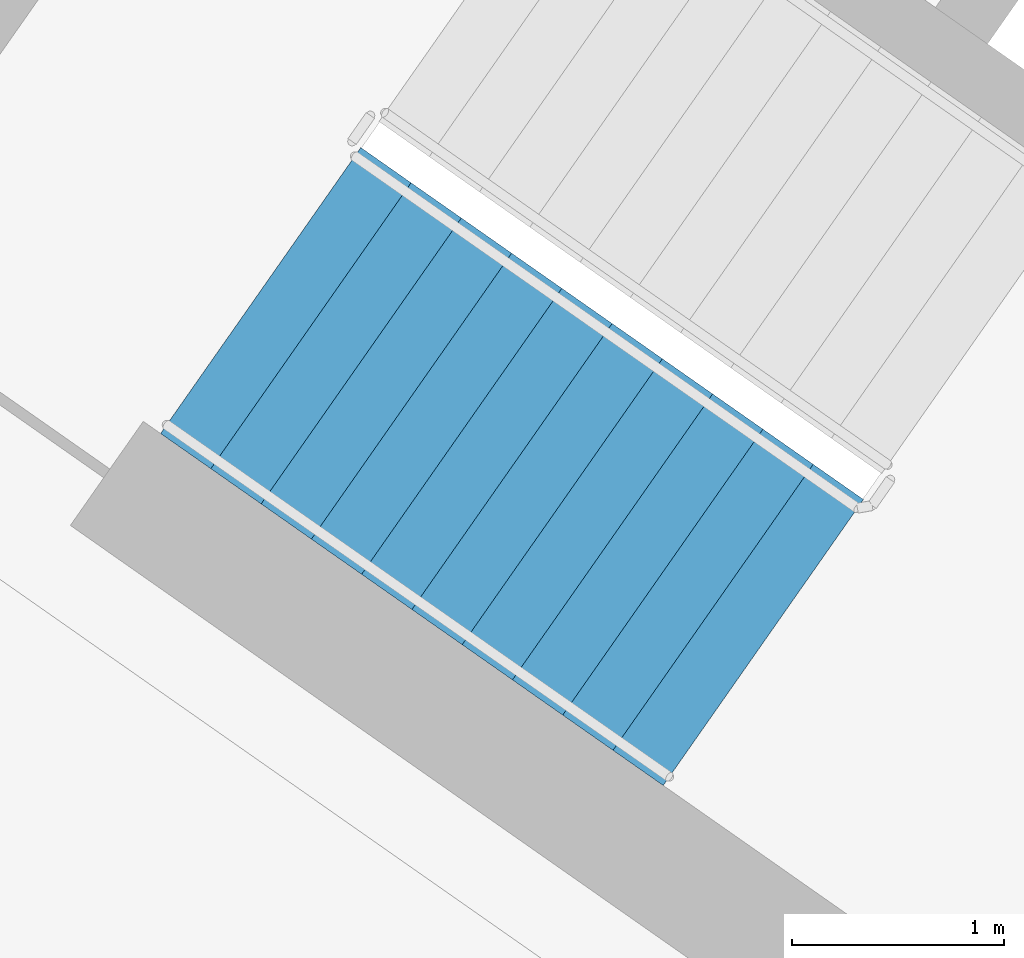
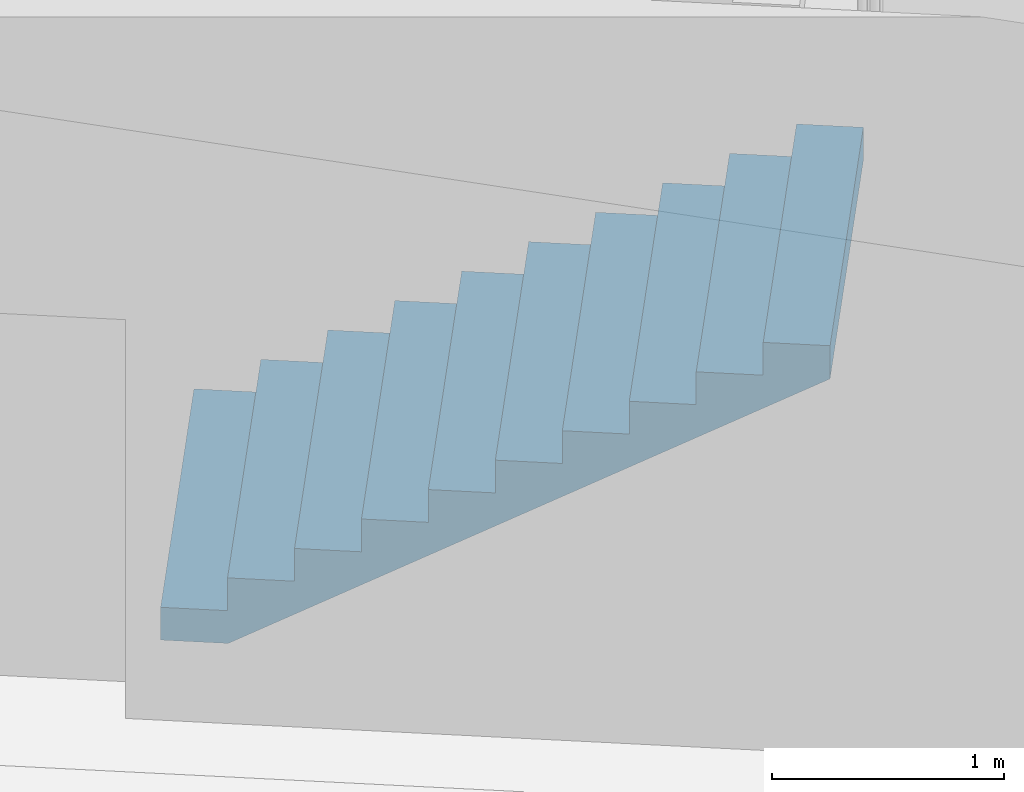
# One storey, part 9 of 26: 1 stair flight, 1 element without a shape of its own.
"""IFC4 building model written with IfcOpenShell, lengths in metres."""

from ifc_helpers import new_model, si_unit, direction, frame, origin, place, context, subcontext, project, spatial, faceted_brep, material, type_object, element, aggregate, save


model = new_model("IFC4")

# Units and contexts
model_context = context("Model", 3, precision=1e-05, world=origin(), true_north=direction((0.0, 1.0)))
body_context = subcontext(model_context, "Body", "Model", "MODEL_VIEW")
ifc_project = project(units=[si_unit("LENGTHUNIT", "METRE"), si_unit("AREAUNIT", "SQUARE_METRE"), si_unit("VOLUMEUNIT", "CUBIC_METRE"), si_unit("PLANEANGLEUNIT", "RADIAN"), si_unit("MASSUNIT", "GRAM", prefix="KILO")], contexts=[model_context])

# Site, building, storey
site_placement = place(None, origin())
site = spatial("IfcSite", under=ifc_project, at=site_placement, CompositionType="ELEMENT")
building_placement = place(site_placement, origin())
building = spatial("IfcBuilding", under=site, at=building_placement, Name="Qamariyya Broadcast Tower", CompositionType="ELEMENT")
storey_placement = place(building_placement, frame((0.0, 0.0, 168.300048828125)))
storey = spatial("IfcBuildingStorey", under=building, at=storey_placement, Name="L39", CompositionType="ELEMENT", Elevation=168.300048828125)

# Stair, stair flight
ifc_material = material(Name="Concrete C50/60", Category="concrete")
stair_type = type_object("IfcStairType", Name="Exit stair 22 risers of 173 mm", PredefinedType="HALF_TURN_STAIR", material=ifc_material)
stair_placement = place(storey_placement, origin())
stair = element("IfcStair", 1, at=stair_placement, inside=storey, type_object=stair_type, Name="L39 Stair W1", PredefinedType="HALF_TURN_STAIR")
stair_flight_type = type_object("IfcStairFlightType", Name="Exit stair flight 11 risers of 173 mm", PredefinedType="STRAIGHT", material=ifc_material)
stair_flight_placement = place(storey_placement, frame((-47.06884765625, -56.982666015625, 0.0), z_axis=(0.0, 0.0, 1.0), x_axis=(0.819152044289, -0.573576436351, 0.0)))
stair_flight = element("IfcStairFlight", 2, at=stair_flight_placement, type_object=stair_flight_type, Name="ST-W1 flight 1", NumberOfRisers=11, NumberOfTreads=10, PredefinedType="STRAIGHT", RiserHeight=0.172727273, TreadLength=0.29, context=body_context, shape_type="Brep", body=[
    faceted_brep([(0.0, 0.824951171875, 0.0), (0.0, 0.824951171875, 0.172607421875), (0.2900390625, 0.824951171875, 0.172607421875), (0.2900390625, 0.824951171875, 0.345458984375), (0.580078125, 0.824951171875, 0.345458984375), (0.580078125, 0.824951171875, 0.51806640625), (0.8701171875, 0.824951171875, 0.51806640625), (0.8701171875, 0.824951171875, 0.69091796875), (1.159912109375, 0.824951171875, 0.69091796875), (1.159912109375, 0.824951171875, 0.863525390625), (1.449951171875, 0.824951171875, 0.863525390625), (1.449951171875, 0.824951171875, 1.036376953125), (1.739990234375, 0.824951171875, 1.036376953125), (1.739990234375, 0.824951171875, 1.208984375), (2.030029296875, 0.824951171875, 1.208984375), (2.030029296875, 0.824951171875, 1.3818359375), (2.320068359375, 0.824951171875, 1.3818359375), (2.320068359375, 0.824951171875, 1.554443359375), (2.610107421875, 0.824951171875, 1.554443359375), (2.610107421875, 0.824951171875, 1.727294921875), (2.89990234375, 0.824951171875, 1.727294921875), (2.89990234375, 0.824951171875, 1.552734375), (0.29296875, 0.824951171875, 0.0), (0.29296875, -0.824951171875, 0.0), (2.89990234375, -0.824951171875, 1.552734375), (2.89990234375, -0.824951171875, 1.727294921875), (2.610107421875, -0.824951171875, 1.727294921875), (2.610107421875, -0.824951171875, 1.554443359375), (2.320068359375, -0.824951171875, 1.554443359375), (2.320068359375, -0.824951171875, 1.3818359375), (2.030029296875, -0.824951171875, 1.3818359375), (2.030029296875, -0.824951171875, 1.208984375), (1.739990234375, -0.824951171875, 1.208984375), (1.739990234375, -0.824951171875, 1.036376953125), (1.449951171875, -0.824951171875, 1.036376953125), (1.449951171875, -0.824951171875, 0.863525390625), (1.159912109375, -0.824951171875, 0.863525390625), (1.159912109375, -0.824951171875, 0.69091796875), (0.8701171875, -0.824951171875, 0.69091796875), (0.8701171875, -0.824951171875, 0.51806640625), (0.580078125, -0.824951171875, 0.51806640625), (0.580078125, -0.824951171875, 0.345458984375), (0.2900390625, -0.824951171875, 0.345458984375), (0.2900390625, -0.824951171875, 0.172607421875), (0.0, -0.824951171875, 0.172607421875), (0.0, -0.824951171875, 0.0), (0.0, 0.10009765625, 0.0), (0.0, 0.086669921875, 0.0), (0.0, 0.0732421875, 0.0), (0.0, 0.06005859375, 0.0), (0.0, 0.046630859375, 0.0), (0.0, 0.033447265625, 0.0), (0.0, 0.02001953125, 0.0), (0.0, 0.006591796875, 0.0), (0.0, -0.006591796875, 0.0), (0.0, -0.02001953125, 0.0), (0.0, -0.033447265625, 0.0), (0.0, -0.046630859375, 0.0), (0.0, -0.06005859375, 0.0), (0.0, -0.0732421875, 0.0), (0.0, -0.086669921875, 0.0), (0.0, -0.10009765625, 0.0), (0.0, -0.10009765625, 0.172607421875), (0.0, -0.086669921875, 0.172607421875), (0.0, -0.0732421875, 0.172607421875), (0.0, -0.06005859375, 0.172607421875), (0.0, -0.046630859375, 0.172607421875), (0.0, -0.033447265625, 0.172607421875), (0.0, -0.02001953125, 0.172607421875), (0.0, -0.006591796875, 0.172607421875), (0.0, 0.006591796875, 0.172607421875), (0.0, 0.02001953125, 0.172607421875), (0.0, 0.033447265625, 0.172607421875), (0.0, 0.046630859375, 0.172607421875), (0.0, 0.06005859375, 0.172607421875), (0.0, 0.0732421875, 0.172607421875), (0.0, 0.086669921875, 0.172607421875), (0.0, 0.10009765625, 0.172607421875), (0.2900390625, -0.10009765625, 0.172607421875), (0.2900390625, -0.086669921875, 0.172607421875), (0.2900390625, -0.0732421875, 0.172607421875), (0.2900390625, -0.06005859375, 0.172607421875), (0.2900390625, -0.046630859375, 0.172607421875), (0.2900390625, -0.033447265625, 0.172607421875), (0.2900390625, -0.02001953125, 0.172607421875), (0.2900390625, -0.006591796875, 0.172607421875), (0.2900390625, 0.006591796875, 0.172607421875), (0.2900390625, 0.02001953125, 0.172607421875), (0.2900390625, 0.033447265625, 0.172607421875), (0.2900390625, 0.046630859375, 0.172607421875), (0.2900390625, 0.06005859375, 0.172607421875), (0.2900390625, 0.0732421875, 0.172607421875), (0.2900390625, 0.086669921875, 0.172607421875), (0.2900390625, 0.10009765625, 0.172607421875), (0.2900390625, -0.10009765625, 0.345458984375), (0.2900390625, -0.086669921875, 0.345458984375), (0.2900390625, -0.0732421875, 0.345458984375), (0.2900390625, -0.06005859375, 0.345458984375), (0.2900390625, -0.046630859375, 0.345458984375), (0.2900390625, -0.033447265625, 0.345458984375), (0.2900390625, -0.02001953125, 0.345458984375), (0.2900390625, -0.006591796875, 0.345458984375), (0.2900390625, 0.006591796875, 0.345458984375), (0.2900390625, 0.02001953125, 0.345458984375), (0.2900390625, 0.033447265625, 0.345458984375), (0.2900390625, 0.046630859375, 0.345458984375), (0.2900390625, 0.06005859375, 0.345458984375), (0.2900390625, 0.0732421875, 0.345458984375), (0.2900390625, 0.086669921875, 0.345458984375), (0.2900390625, 0.10009765625, 0.345458984375), (0.580078125, -0.10009765625, 0.345458984375), (0.580078125, -0.086669921875, 0.345458984375), (0.580078125, -0.0732421875, 0.345458984375), (0.580078125, -0.06005859375, 0.345458984375), (0.580078125, -0.046630859375, 0.345458984375), (0.580078125, -0.033447265625, 0.345458984375), (0.580078125, -0.02001953125, 0.345458984375), (0.580078125, -0.006591796875, 0.345458984375), (0.580078125, 0.006591796875, 0.345458984375), (0.580078125, 0.02001953125, 0.345458984375), (0.580078125, 0.033447265625, 0.345458984375), (0.580078125, 0.046630859375, 0.345458984375), (0.580078125, 0.06005859375, 0.345458984375), (0.580078125, 0.0732421875, 0.345458984375), (0.580078125, 0.086669921875, 0.345458984375), (0.580078125, 0.10009765625, 0.345458984375), (0.580078125, -0.10009765625, 0.51806640625), (0.580078125, -0.086669921875, 0.51806640625), (0.580078125, -0.0732421875, 0.51806640625), (0.580078125, -0.06005859375, 0.51806640625), (0.580078125, -0.046630859375, 0.51806640625), (0.580078125, -0.033447265625, 0.51806640625), (0.580078125, -0.02001953125, 0.51806640625), (0.580078125, -0.006591796875, 0.51806640625), (0.580078125, 0.006591796875, 0.51806640625), (0.580078125, 0.02001953125, 0.51806640625), (0.580078125, 0.033447265625, 0.51806640625), (0.580078125, 0.046630859375, 0.51806640625), (0.580078125, 0.06005859375, 0.51806640625), (0.580078125, 0.0732421875, 0.51806640625), (0.580078125, 0.086669921875, 0.51806640625), (0.580078125, 0.10009765625, 0.51806640625), (0.8701171875, -0.10009765625, 0.51806640625), (0.8701171875, -0.086669921875, 0.51806640625), (0.8701171875, -0.0732421875, 0.51806640625), (0.8701171875, -0.06005859375, 0.51806640625), (0.8701171875, -0.046630859375, 0.51806640625), (0.8701171875, -0.033447265625, 0.51806640625), (0.8701171875, -0.02001953125, 0.51806640625), (0.8701171875, -0.006591796875, 0.51806640625), (0.8701171875, 0.006591796875, 0.51806640625), (0.8701171875, 0.02001953125, 0.51806640625), (0.8701171875, 0.033447265625, 0.51806640625), (0.8701171875, 0.046630859375, 0.51806640625), (0.8701171875, 0.06005859375, 0.51806640625), (0.8701171875, 0.0732421875, 0.51806640625), (0.8701171875, 0.086669921875, 0.51806640625), (0.8701171875, 0.10009765625, 0.51806640625), (0.8701171875, -0.10009765625, 0.69091796875), (0.8701171875, -0.086669921875, 0.69091796875), (0.8701171875, -0.0732421875, 0.69091796875), (0.8701171875, -0.06005859375, 0.69091796875), (0.8701171875, -0.046630859375, 0.69091796875), (0.8701171875, -0.033447265625, 0.69091796875), (0.8701171875, -0.02001953125, 0.69091796875), (0.8701171875, -0.006591796875, 0.69091796875), (0.8701171875, 0.006591796875, 0.69091796875), (0.8701171875, 0.02001953125, 0.69091796875), (0.8701171875, 0.033447265625, 0.69091796875), (0.8701171875, 0.046630859375, 0.69091796875), (0.8701171875, 0.06005859375, 0.69091796875), (0.8701171875, 0.0732421875, 0.69091796875), (0.8701171875, 0.086669921875, 0.69091796875), (0.8701171875, 0.10009765625, 0.69091796875), (1.159912109375, -0.10009765625, 0.69091796875), (1.159912109375, -0.086669921875, 0.69091796875), (1.159912109375, -0.0732421875, 0.69091796875), (1.159912109375, -0.06005859375, 0.69091796875), (1.159912109375, -0.046630859375, 0.69091796875), (1.159912109375, -0.033447265625, 0.69091796875), (1.159912109375, -0.02001953125, 0.69091796875), (1.159912109375, -0.006591796875, 0.69091796875), (1.159912109375, 0.006591796875, 0.69091796875), (1.159912109375, 0.02001953125, 0.69091796875), (1.159912109375, 0.033447265625, 0.69091796875), (1.159912109375, 0.046630859375, 0.69091796875), (1.159912109375, 0.06005859375, 0.69091796875), (1.159912109375, 0.0732421875, 0.69091796875), (1.159912109375, 0.086669921875, 0.69091796875), (1.159912109375, 0.10009765625, 0.69091796875), (1.159912109375, -0.10009765625, 0.863525390625), (1.159912109375, -0.086669921875, 0.863525390625), (1.159912109375, -0.0732421875, 0.863525390625), (1.159912109375, -0.06005859375, 0.863525390625), (1.159912109375, -0.046630859375, 0.863525390625), (1.159912109375, -0.033447265625, 0.863525390625), (1.159912109375, -0.02001953125, 0.863525390625), (1.159912109375, -0.006591796875, 0.863525390625), (1.159912109375, 0.006591796875, 0.863525390625), (1.159912109375, 0.02001953125, 0.863525390625), (1.159912109375, 0.033447265625, 0.863525390625), (1.159912109375, 0.046630859375, 0.863525390625), (1.159912109375, 0.06005859375, 0.863525390625), (1.159912109375, 0.0732421875, 0.863525390625), (1.159912109375, 0.086669921875, 0.863525390625), (1.159912109375, 0.10009765625, 0.863525390625), (1.449951171875, -0.10009765625, 0.863525390625), (1.449951171875, -0.086669921875, 0.863525390625), (1.449951171875, -0.0732421875, 0.863525390625), (1.449951171875, -0.06005859375, 0.863525390625), (1.449951171875, -0.046630859375, 0.863525390625), (1.449951171875, -0.033447265625, 0.863525390625), (1.449951171875, -0.02001953125, 0.863525390625), (1.449951171875, -0.006591796875, 0.863525390625), (1.449951171875, 0.006591796875, 0.863525390625), (1.449951171875, 0.02001953125, 0.863525390625), (1.449951171875, 0.033447265625, 0.863525390625), (1.449951171875, 0.046630859375, 0.863525390625), (1.449951171875, 0.06005859375, 0.863525390625), (1.449951171875, 0.0732421875, 0.863525390625), (1.449951171875, 0.086669921875, 0.863525390625), (1.449951171875, 0.10009765625, 0.863525390625), (1.449951171875, -0.10009765625, 1.036376953125), (1.449951171875, -0.086669921875, 1.036376953125), (1.449951171875, -0.0732421875, 1.036376953125), (1.449951171875, -0.06005859375, 1.036376953125), (1.449951171875, -0.046630859375, 1.036376953125), (1.449951171875, -0.033447265625, 1.036376953125), (1.449951171875, -0.02001953125, 1.036376953125), (1.449951171875, -0.006591796875, 1.036376953125), (1.449951171875, 0.006591796875, 1.036376953125), (1.449951171875, 0.02001953125, 1.036376953125), (1.449951171875, 0.033447265625, 1.036376953125), (1.449951171875, 0.046630859375, 1.036376953125), (1.449951171875, 0.06005859375, 1.036376953125), (1.449951171875, 0.0732421875, 1.036376953125), (1.449951171875, 0.086669921875, 1.036376953125), (1.449951171875, 0.10009765625, 1.036376953125), (1.739990234375, -0.10009765625, 1.036376953125), (1.739990234375, -0.086669921875, 1.036376953125), (1.739990234375, -0.0732421875, 1.036376953125), (1.739990234375, -0.06005859375, 1.036376953125), (1.739990234375, -0.046630859375, 1.036376953125), (1.739990234375, -0.033447265625, 1.036376953125), (1.739990234375, -0.02001953125, 1.036376953125), (1.739990234375, -0.006591796875, 1.036376953125), (1.739990234375, 0.006591796875, 1.036376953125), (1.739990234375, 0.02001953125, 1.036376953125), (1.739990234375, 0.033447265625, 1.036376953125), (1.739990234375, 0.046630859375, 1.036376953125), (1.739990234375, 0.06005859375, 1.036376953125), (1.739990234375, 0.0732421875, 1.036376953125), (1.739990234375, 0.086669921875, 1.036376953125), (1.739990234375, 0.10009765625, 1.036376953125), (1.739990234375, -0.10009765625, 1.208984375), (1.739990234375, -0.086669921875, 1.208984375), (1.739990234375, -0.0732421875, 1.208984375), (1.739990234375, -0.06005859375, 1.208984375), (1.739990234375, -0.046630859375, 1.208984375), (1.739990234375, -0.033447265625, 1.208984375), (1.739990234375, -0.02001953125, 1.208984375), (1.739990234375, -0.006591796875, 1.208984375), (1.739990234375, 0.006591796875, 1.208984375), (1.739990234375, 0.02001953125, 1.208984375), (1.739990234375, 0.033447265625, 1.208984375), (1.739990234375, 0.046630859375, 1.208984375), (1.739990234375, 0.06005859375, 1.208984375), (1.739990234375, 0.0732421875, 1.208984375), (1.739990234375, 0.086669921875, 1.208984375), (1.739990234375, 0.10009765625, 1.208984375), (2.030029296875, -0.10009765625, 1.208984375), (2.030029296875, -0.086669921875, 1.208984375), (2.030029296875, -0.0732421875, 1.208984375), (2.030029296875, -0.06005859375, 1.208984375), (2.030029296875, -0.046630859375, 1.208984375), (2.030029296875, -0.033447265625, 1.208984375), (2.030029296875, -0.02001953125, 1.208984375), (2.030029296875, -0.006591796875, 1.208984375), (2.030029296875, 0.006591796875, 1.208984375), (2.030029296875, 0.02001953125, 1.208984375), (2.030029296875, 0.033447265625, 1.208984375), (2.030029296875, 0.046630859375, 1.208984375), (2.030029296875, 0.06005859375, 1.208984375), (2.030029296875, 0.0732421875, 1.208984375), (2.030029296875, 0.086669921875, 1.208984375), (2.030029296875, 0.10009765625, 1.208984375), (2.030029296875, -0.10009765625, 1.3818359375), (2.030029296875, -0.086669921875, 1.3818359375), (2.030029296875, -0.0732421875, 1.3818359375), (2.030029296875, -0.06005859375, 1.3818359375), (2.030029296875, -0.046630859375, 1.3818359375), (2.030029296875, -0.033447265625, 1.3818359375), (2.030029296875, -0.02001953125, 1.3818359375), (2.030029296875, -0.006591796875, 1.3818359375), (2.030029296875, 0.006591796875, 1.3818359375), (2.030029296875, 0.02001953125, 1.3818359375), (2.030029296875, 0.033447265625, 1.3818359375), (2.030029296875, 0.046630859375, 1.3818359375), (2.030029296875, 0.06005859375, 1.3818359375), (2.030029296875, 0.0732421875, 1.3818359375), (2.030029296875, 0.086669921875, 1.3818359375), (2.030029296875, 0.10009765625, 1.3818359375), (2.320068359375, -0.10009765625, 1.3818359375), (2.320068359375, -0.086669921875, 1.3818359375), (2.320068359375, -0.0732421875, 1.3818359375), (2.320068359375, -0.06005859375, 1.3818359375), (2.320068359375, -0.046630859375, 1.3818359375), (2.320068359375, -0.033447265625, 1.3818359375), (2.320068359375, -0.02001953125, 1.3818359375), (2.320068359375, -0.006591796875, 1.3818359375), (2.320068359375, 0.006591796875, 1.3818359375), (2.320068359375, 0.02001953125, 1.3818359375), (2.320068359375, 0.033447265625, 1.3818359375), (2.320068359375, 0.046630859375, 1.3818359375), (2.320068359375, 0.06005859375, 1.3818359375), (2.320068359375, 0.0732421875, 1.3818359375), (2.320068359375, 0.086669921875, 1.3818359375), (2.320068359375, 0.10009765625, 1.3818359375), (2.320068359375, -0.10009765625, 1.554443359375), (2.320068359375, -0.086669921875, 1.554443359375), (2.320068359375, -0.0732421875, 1.554443359375), (2.320068359375, -0.06005859375, 1.554443359375), (2.320068359375, -0.046630859375, 1.554443359375), (2.320068359375, -0.033447265625, 1.554443359375), (2.320068359375, -0.02001953125, 1.554443359375), (2.320068359375, -0.006591796875, 1.554443359375), (2.320068359375, 0.006591796875, 1.554443359375), (2.320068359375, 0.02001953125, 1.554443359375), (2.320068359375, 0.033447265625, 1.554443359375), (2.320068359375, 0.046630859375, 1.554443359375), (2.320068359375, 0.06005859375, 1.554443359375), (2.320068359375, 0.0732421875, 1.554443359375), (2.320068359375, 0.086669921875, 1.554443359375), (2.320068359375, 0.10009765625, 1.554443359375), (2.610107421875, -0.10009765625, 1.554443359375), (2.610107421875, -0.086669921875, 1.554443359375), (2.610107421875, -0.0732421875, 1.554443359375), (2.610107421875, -0.06005859375, 1.554443359375), (2.610107421875, -0.046630859375, 1.554443359375), (2.610107421875, -0.033447265625, 1.554443359375), (2.610107421875, -0.02001953125, 1.554443359375), (2.610107421875, -0.006591796875, 1.554443359375), (2.610107421875, 0.006591796875, 1.554443359375), (2.610107421875, 0.02001953125, 1.554443359375), (2.610107421875, 0.033447265625, 1.554443359375), (2.610107421875, 0.046630859375, 1.554443359375), (2.610107421875, 0.06005859375, 1.554443359375), (2.610107421875, 0.0732421875, 1.554443359375), (2.610107421875, 0.086669921875, 1.554443359375), (2.610107421875, 0.10009765625, 1.554443359375), (2.610107421875, -0.10009765625, 1.727294921875), (2.610107421875, -0.086669921875, 1.727294921875), (2.610107421875, -0.0732421875, 1.727294921875), (2.610107421875, -0.06005859375, 1.727294921875), (2.610107421875, -0.046630859375, 1.727294921875), (2.610107421875, -0.033447265625, 1.727294921875), (2.610107421875, -0.02001953125, 1.727294921875), (2.610107421875, -0.006591796875, 1.727294921875), (2.610107421875, 0.006591796875, 1.727294921875), (2.610107421875, 0.02001953125, 1.727294921875), (2.610107421875, 0.033447265625, 1.727294921875), (2.610107421875, 0.046630859375, 1.727294921875), (2.610107421875, 0.06005859375, 1.727294921875), (2.610107421875, 0.0732421875, 1.727294921875), (2.610107421875, 0.086669921875, 1.727294921875), (2.610107421875, 0.10009765625, 1.727294921875), (2.89990234375, -0.10009765625, 1.727294921875), (2.89990234375, -0.086669921875, 1.727294921875), (2.89990234375, -0.0732421875, 1.727294921875), (2.89990234375, -0.06005859375, 1.727294921875), (2.89990234375, -0.046630859375, 1.727294921875), (2.89990234375, -0.033447265625, 1.727294921875), (2.89990234375, -0.02001953125, 1.727294921875), (2.89990234375, -0.006591796875, 1.727294921875), (2.89990234375, 0.006591796875, 1.727294921875), (2.89990234375, 0.02001953125, 1.727294921875), (2.89990234375, 0.033447265625, 1.727294921875), (2.89990234375, 0.046630859375, 1.727294921875), (2.89990234375, 0.06005859375, 1.727294921875), (2.89990234375, 0.0732421875, 1.727294921875), (2.89990234375, 0.086669921875, 1.727294921875), (2.89990234375, 0.10009765625, 1.727294921875), (2.89990234375, -0.10009765625, 1.552734375), (2.89990234375, -0.086669921875, 1.552734375), (2.89990234375, -0.0732421875, 1.552734375), (2.89990234375, -0.06005859375, 1.552734375), (2.89990234375, -0.046630859375, 1.552734375), (2.89990234375, -0.033447265625, 1.552734375), (2.89990234375, -0.02001953125, 1.552734375), (2.89990234375, -0.006591796875, 1.552734375), (2.89990234375, 0.006591796875, 1.552734375), (2.89990234375, 0.02001953125, 1.552734375), (2.89990234375, 0.033447265625, 1.552734375), (2.89990234375, 0.046630859375, 1.552734375), (2.89990234375, 0.06005859375, 1.552734375), (2.89990234375, 0.0732421875, 1.552734375), (2.89990234375, 0.086669921875, 1.552734375), (2.89990234375, 0.10009765625, 1.552734375), (0.29296875, -0.10009765625, 0.0), (0.29296875, -0.086669921875, 0.0), (0.29296875, -0.0732421875, 0.0), (0.29296875, -0.06005859375, 0.0), (0.29296875, -0.046630859375, 0.0), (0.29296875, -0.033447265625, 0.0), (0.29296875, -0.02001953125, 0.0), (0.29296875, -0.006591796875, 0.0), (0.29296875, 0.006591796875, 0.0), (0.29296875, 0.02001953125, 0.0), (0.29296875, 0.033447265625, 0.0), (0.29296875, 0.046630859375, 0.0), (0.29296875, 0.06005859375, 0.0), (0.29296875, 0.0732421875, 0.0), (0.29296875, 0.086669921875, 0.0), (0.29296875, 0.10009765625, 0.0)], [[[0, 1, 2, 3, 4, 5, 6, 7, 8, 9, 10, 11, 12, 13, 14, 15, 16, 17, 18, 19, 20, 21, 22]], [[23, 24, 25, 26, 27, 28, 29, 30, 31, 32, 33, 34, 35, 36, 37, 38, 39, 40, 41, 42, 43, 44, 45]], [[0, 46, 47, 48, 49, 50, 51, 52, 53, 54, 55, 56, 57, 58, 59, 60, 61, 45, 44, 62, 63, 64, 65, 66, 67, 68, 69, 70, 71, 72, 73, 74, 75, 76, 77, 1]], [[1, 77, 76, 75, 74, 73, 72, 71, 70, 69, 68, 67, 66, 65, 64, 63, 62, 44, 43, 78, 79, 80, 81, 82, 83, 84, 85, 86, 87, 88, 89, 90, 91, 92, 93, 2]], [[2, 93, 92, 91, 90, 89, 88, 87, 86, 85, 84, 83, 82, 81, 80, 79, 78, 43, 42, 94, 95, 96, 97, 98, 99, 100, 101, 102, 103, 104, 105, 106, 107, 108, 109, 3]], [[3, 109, 108, 107, 106, 105, 104, 103, 102, 101, 100, 99, 98, 97, 96, 95, 94, 42, 41, 110, 111, 112, 113, 114, 115, 116, 117, 118, 119, 120, 121, 122, 123, 124, 125, 4]], [[4, 125, 124, 123, 122, 121, 120, 119, 118, 117, 116, 115, 114, 113, 112, 111, 110, 41, 40, 126, 127, 128, 129, 130, 131, 132, 133, 134, 135, 136, 137, 138, 139, 140, 141, 5]], [[5, 141, 140, 139, 138, 137, 136, 135, 134, 133, 132, 131, 130, 129, 128, 127, 126, 40, 39, 142, 143, 144, 145, 146, 147, 148, 149, 150, 151, 152, 153, 154, 155, 156, 157, 6]], [[6, 157, 156, 155, 154, 153, 152, 151, 150, 149, 148, 147, 146, 145, 144, 143, 142, 39, 38, 158, 159, 160, 161, 162, 163, 164, 165, 166, 167, 168, 169, 170, 171, 172, 173, 7]], [[7, 173, 172, 171, 170, 169, 168, 167, 166, 165, 164, 163, 162, 161, 160, 159, 158, 38, 37, 174, 175, 176, 177, 178, 179, 180, 181, 182, 183, 184, 185, 186, 187, 188, 189, 8]], [[8, 189, 188, 187, 186, 185, 184, 183, 182, 181, 180, 179, 178, 177, 176, 175, 174, 37, 36, 190, 191, 192, 193, 194, 195, 196, 197, 198, 199, 200, 201, 202, 203, 204, 205, 9]], [[9, 205, 204, 203, 202, 201, 200, 199, 198, 197, 196, 195, 194, 193, 192, 191, 190, 36, 35, 206, 207, 208, 209, 210, 211, 212, 213, 214, 215, 216, 217, 218, 219, 220, 221, 10]], [[10, 221, 220, 219, 218, 217, 216, 215, 214, 213, 212, 211, 210, 209, 208, 207, 206, 35, 34, 222, 223, 224, 225, 226, 227, 228, 229, 230, 231, 232, 233, 234, 235, 236, 237, 11]], [[11, 237, 236, 235, 234, 233, 232, 231, 230, 229, 228, 227, 226, 225, 224, 223, 222, 34, 33, 238, 239, 240, 241, 242, 243, 244, 245, 246, 247, 248, 249, 250, 251, 252, 253, 12]], [[12, 253, 252, 251, 250, 249, 248, 247, 246, 245, 244, 243, 242, 241, 240, 239, 238, 33, 32, 254, 255, 256, 257, 258, 259, 260, 261, 262, 263, 264, 265, 266, 267, 268, 269, 13]], [[13, 269, 268, 267, 266, 265, 264, 263, 262, 261, 260, 259, 258, 257, 256, 255, 254, 32, 31, 270, 271, 272, 273, 274, 275, 276, 277, 278, 279, 280, 281, 282, 283, 284, 285, 14]], [[14, 285, 284, 283, 282, 281, 280, 279, 278, 277, 276, 275, 274, 273, 272, 271, 270, 31, 30, 286, 287, 288, 289, 290, 291, 292, 293, 294, 295, 296, 297, 298, 299, 300, 301, 15]], [[15, 301, 300, 299, 298, 297, 296, 295, 294, 293, 292, 291, 290, 289, 288, 287, 286, 30, 29, 302, 303, 304, 305, 306, 307, 308, 309, 310, 311, 312, 313, 314, 315, 316, 317, 16]], [[16, 317, 316, 315, 314, 313, 312, 311, 310, 309, 308, 307, 306, 305, 304, 303, 302, 29, 28, 318, 319, 320, 321, 322, 323, 324, 325, 326, 327, 328, 329, 330, 331, 332, 333, 17]], [[17, 333, 332, 331, 330, 329, 328, 327, 326, 325, 324, 323, 322, 321, 320, 319, 318, 28, 27, 334, 335, 336, 337, 338, 339, 340, 341, 342, 343, 344, 345, 346, 347, 348, 349, 18]], [[18, 349, 348, 347, 346, 345, 344, 343, 342, 341, 340, 339, 338, 337, 336, 335, 334, 27, 26, 350, 351, 352, 353, 354, 355, 356, 357, 358, 359, 360, 361, 362, 363, 364, 365, 19]], [[19, 365, 364, 363, 362, 361, 360, 359, 358, 357, 356, 355, 354, 353, 352, 351, 350, 26, 25, 366, 367, 368, 369, 370, 371, 372, 373, 374, 375, 376, 377, 378, 379, 380, 381, 20]], [[20, 381, 380, 379, 378, 377, 376, 375, 374, 373, 372, 371, 370, 369, 368, 367, 366, 25, 24, 382, 383, 384, 385, 386, 387, 388, 389, 390, 391, 392, 393, 394, 395, 396, 397, 21]], [[21, 397, 396, 395, 394, 393, 392, 391, 390, 389, 388, 387, 386, 385, 384, 383, 382, 24, 23, 398, 399, 400, 401, 402, 403, 404, 405, 406, 407, 408, 409, 410, 411, 412, 413, 22]], [[22, 413, 412, 411, 410, 409, 408, 407, 406, 405, 404, 403, 402, 401, 400, 399, 398, 23, 45, 61, 60, 59, 58, 57, 56, 55, 54, 53, 52, 51, 50, 49, 48, 47, 46, 0]]]),
])
aggregate(stair, [stair_flight])

save(model, "model.ifc")
